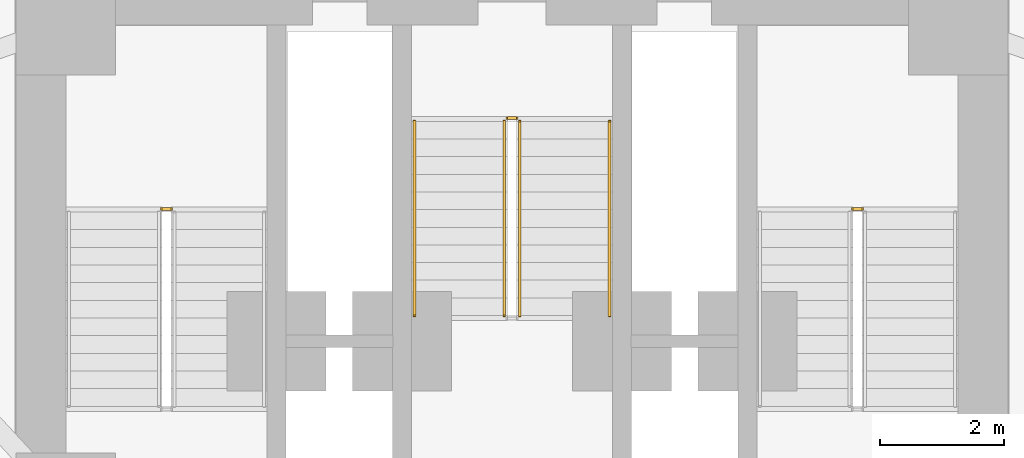
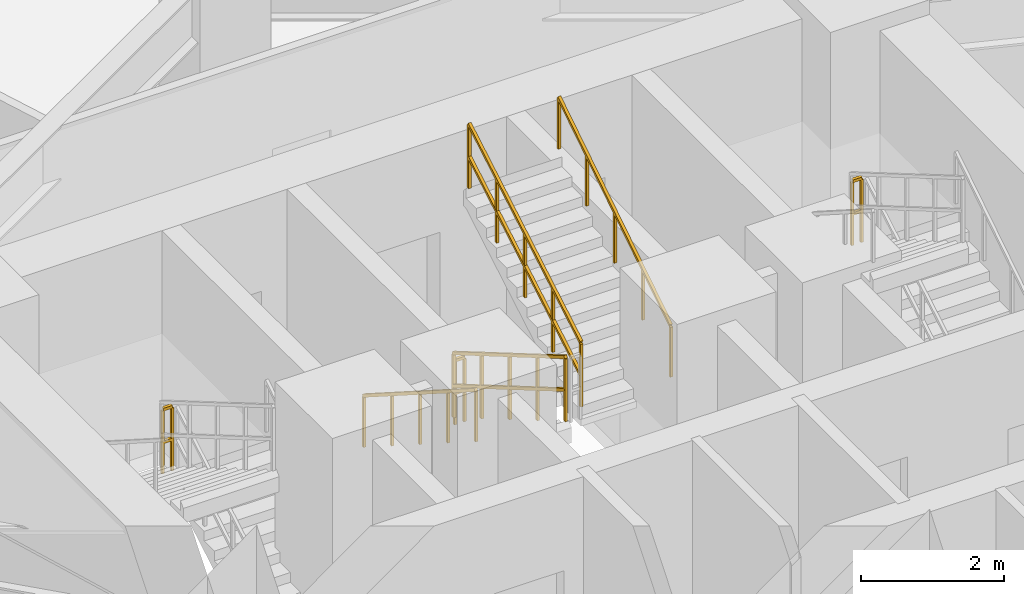
# One storey, part 11 of 12: 7 railings.
"""IFC4 building model written with IfcOpenShell, lengths in metres."""

import ifcopenshell
import ifcopenshell.guid

model = None  # the IFC model being written
_history = None  # IfcOwnerHistory: only IFC2X3 demands one
_inside = {}  # id of a spatial element -> (the spatial element, [elements in it])
_under = {}  # id of a project, library or spatial element -> (it, [spatial elements below it])
_declared = {}  # id of a project -> (the project, [libraries it declares])
_typed = {}  # id of a type object -> (the type object, [elements of that type])
_made_of = {}  # id of a material, layer set ... -> (it, [elements and type objects made of it])


def new_model(schema):
    """Start an empty IFC model of exactly this schema.

    Asked for "IFC4X3", IfcOpenShell would pick the latest addendum, in which some entities
    have other attributes; the version numbers below select the first issue.
    IFC2X3 requires an IfcOwnerHistory on every rooted entity: one is made here for all.
    """
    global model, _history
    if schema == "IFC4X3":
        model = ifcopenshell.file(schema_version=(4, 3, 0, 0))
    else:
        model = ifcopenshell.file(schema=schema)
    _inside.clear()
    _under.clear()
    _declared.clear()
    _typed.clear()
    _made_of.clear()
    _history = None
    if model.schema == "IFC2X3":
        org = make("IfcOrganization", Name="unknown")
        user = make(
            "IfcPersonAndOrganization",
            ThePerson=make("IfcPerson", FamilyName="unknown"),
            TheOrganization=org,
        )
        app = make(
            "IfcApplication",
            ApplicationDeveloper=org,
            Version="unknown",
            ApplicationFullName="unknown",
            ApplicationIdentifier="unknown",
        )
        _history = make(
            "IfcOwnerHistory",
            OwningUser=user,
            OwningApplication=app,
            ChangeAction="ADDED",
            CreationDate=0,
        )
    return model


def make(cls, **values):
    """One entity of the class cls with the attributes given. An attribute that is None is left unset."""
    return model.create_entity(
        cls, **{name: value for name, value in values.items() if value is not None}
    )


def rooted(cls, **values):
    """An entity with a GlobalId (a new one), such as an element, a storey or a relation."""
    return make(cls, GlobalId=ifcopenshell.guid.new(), OwnerHistory=_history, **values)


def si_unit(unit_type, name, prefix=None):
    """IfcSIUnit, for example si_unit("LENGTHUNIT", "METRE", prefix="MILLI")."""
    return make("IfcSIUnit", UnitType=unit_type, Prefix=prefix, Name=name)


def assignment(units):
    """IfcUnitAssignment: the units of a project."""
    return None if units is None else make("IfcUnitAssignment", Units=units)


def point(xyz):
    """IfcCartesianPoint."""
    return None if xyz is None else make("IfcCartesianPoint", Coordinates=xyz)


def direction(xyz):
    """IfcDirection."""
    return None if xyz is None else make("IfcDirection", DirectionRatios=xyz)


def frame(location, z_axis=None, x_axis=None):
    """IfcAxis2Placement3D, a coordinate frame: its origin and axes. An axis left out is left unset."""
    return make(
        "IfcAxis2Placement3D",
        Location=point(location),
        Axis=direction(z_axis),
        RefDirection=direction(x_axis),
    )


def frame_2d(location, x_axis=None):
    """IfcAxis2Placement2D, a coordinate frame in the plane: its origin and x axis."""
    return make(
        "IfcAxis2Placement2D", Location=point(location), RefDirection=direction(x_axis)
    )


def origin():
    """The frame at (0, 0, 0) with its axes left unset."""
    return frame((0.0, 0.0, 0.0))


def origin_2d():
    """The frame at (0, 0) in the plane with its x axis left unset."""
    return frame_2d((0.0, 0.0))


def place(relative_to, where):
    """IfcLocalPlacement: puts the frame where relative to a parent placement (None: the world)."""
    return make(
        "IfcLocalPlacement", PlacementRelTo=relative_to, RelativePlacement=where
    )


def context(
    kind, dimensions, precision=None, world=None, true_north=None, identifier=None
):
    """IfcGeometricRepresentationContext, for example the 3D "Model" context."""
    return make(
        "IfcGeometricRepresentationContext",
        ContextIdentifier=identifier,
        ContextType=kind,
        CoordinateSpaceDimension=dimensions,
        Precision=precision,
        WorldCoordinateSystem=world,
        TrueNorth=true_north,
    )


def subcontext(parent, identifier, kind, view, scale=None):
    """IfcGeometricRepresentationSubContext, for example "Body" below "Model"."""
    return make(
        "IfcGeometricRepresentationSubContext",
        ContextIdentifier=identifier,
        ContextType=kind,
        ParentContext=parent,
        TargetScale=scale,
        TargetView=view,
    )


def project(units=None, contexts=None):
    """IfcProject with its units and contexts."""
    return rooted(
        "IfcProject",
        Name="project",
        RepresentationContexts=contexts,
        UnitsInContext=assignment(units),
    )


def spatial(cls, under=None, at=None, **own):
    """A site, building, storey or space (cls), placed at a placement, below another one or the project."""
    s = rooted(cls, ObjectPlacement=at, **own)
    if under is not None:
        _under.setdefault(under.id(), (under, []))[1].append(s)
    return s


def profile(cls, at=None, kind="AREA", **sizes):
    """A parametric profile (cls). Its sizes go by their IFC names, for example OverallWidth=200.0."""
    return make(cls, ProfileType=kind, Position=at, **sizes)


def rectangle(**sizes):
    """IfcRectangleProfileDef."""
    return profile("IfcRectangleProfileDef", **sizes)


def extrude(swept, where, along, depth):
    """IfcExtrudedAreaSolid: the profile swept, set in the frame where, extruded along a direction by depth."""
    return make(
        "IfcExtrudedAreaSolid",
        SweptArea=swept,
        Position=where,
        ExtrudedDirection=direction(along),
        Depth=depth,
    )


def shape(context_of_items, identifier, shape_type, items):
    """IfcShapeRepresentation: the items that make up one representation, for example the "Body"."""
    return make(
        "IfcShapeRepresentation",
        ContextOfItems=context_of_items,
        RepresentationIdentifier=identifier,
        RepresentationType=shape_type,
        Items=items,
    )


def material(Name=None, Category=None):
    """IfcMaterial."""
    return make("IfcMaterial", Name=Name, Category=Category)


def made_of(thing, what):
    """Note that an element or type object is made of a material, layer set ...; save() writes the relation."""
    if what is not None:
        _made_of.setdefault(what.id(), (what, []))[1].append(thing)
    return thing


def type_object(cls, material=None, **own):
    """A type object (cls), such as IfcWallType, which elements share."""
    return made_of(rooted(cls, **own), material)


def element(
    cls,
    number,
    at=None,
    inside=None,
    cuts=None,
    type_object=None,
    material=None,
    context=None,
    identifier="Body",
    shape_type=None,
    held_by="IfcProductDefinitionShape",
    body=None,
    shapes=None,
    **own,
):
    """One element of the class cls, such as IfcWall. Its Tag is "e" and its number.

    at: its placement. inside: the storey or other place that contains it. cuts: it is an
    opening in that element (IfcRelVoidsElement). A single representation is given by context,
    identifier, shape_type and body (its items); several are given by shapes. held_by: the class
    of the entity that holds the representations. save() writes the other relations.
    """
    e = rooted(cls, Tag="e%d" % number, ObjectPlacement=at, **own)
    if body is not None:
        shapes = [shape(context, identifier, shape_type, body)]
    if shapes is not None:
        e.Representation = make(held_by, Representations=shapes)
    if inside is not None:
        _inside.setdefault(inside.id(), (inside, []))[1].append(e)
    if cuts is not None:
        rooted(
            "IfcRelVoidsElement", RelatingBuildingElement=cuts, RelatedOpeningElement=e
        )
    if type_object is not None:
        _typed.setdefault(type_object.id(), (type_object, []))[1].append(e)
    return made_of(e, material)


def aggregate(whole, parts):
    """IfcRelAggregates: a whole, such as a stair, and the parts it consists of."""
    return rooted("IfcRelAggregates", RelatingObject=whole, RelatedObjects=parts)


def save(model, path):
    """Write the relations noted so far, then the file.

    IfcRelAggregates (storeys below a building ...), IfcRelContainedInSpatialStructure (elements
    in a storey), IfcRelDefinesByType, IfcRelAssociatesMaterial and IfcRelDeclares: one each for
    every whole, place, type object, material and project.
    """
    for whole, parts in _under.values():
        aggregate(whole, parts)
    for where, things in _inside.values():
        rooted(
            "IfcRelContainedInSpatialStructure",
            RelatedElements=things,
            RelatingStructure=where,
        )
    for kind, things in _typed.values():
        rooted("IfcRelDefinesByType", RelatedObjects=things, RelatingType=kind)
    for what, things in _made_of.values():
        rooted("IfcRelAssociatesMaterial", RelatedObjects=things, RelatingMaterial=what)
    for by, libraries in _declared.values():
        rooted("IfcRelDeclares", RelatingContext=by, RelatedDefinitions=libraries)
    model.write(path)


model = new_model("IFC4")

# Units and contexts
model_context = context("Model", 3, precision=1e-05, world=origin(), true_north=direction((0.0, 1.0)))
body_context = subcontext(model_context, "Body", "Model", "MODEL_VIEW")
ifc_project = project(units=[si_unit("LENGTHUNIT", "METRE"), si_unit("AREAUNIT", "SQUARE_METRE"), si_unit("VOLUMEUNIT", "CUBIC_METRE"), si_unit("PLANEANGLEUNIT", "RADIAN"), si_unit("MASSUNIT", "GRAM", prefix="KILO")], contexts=[model_context])

# Site, building, storey
site_placement = place(None, origin())
site = spatial("IfcSite", under=ifc_project, at=site_placement, CompositionType="ELEMENT")
building_placement = place(site_placement, origin())
building = spatial("IfcBuilding", under=site, at=building_placement, Name="Apsidion Concourse Tower", CompositionType="ELEMENT")
storey_placement = place(building_placement, frame((0.0, 0.0, 34.39990234375)))
storey = spatial("IfcBuildingStorey", under=building, at=storey_placement, Name="L06", CompositionType="ELEMENT", Elevation=34.39990234375)

# Railings
ifc_material = material(Name="Brushed stainless steel 316", Category="steel")
railing_type_1 = type_object("IfcRailingType", Name="RL-GUARD-1100", PredefinedType="GUARDRAIL", material=ifc_material)
for number, where, name in (
    (1, (-5.5, 6.18505859375, 2.0), "L06 ST1 stair guard 2"),
    (2, (5.64990234375, 6.18505859375, 2.0), "L06 ST2 stair guard 2"),
):
    element("IfcRailing", number, at=place(storey_placement, frame(where)), inside=storey, type_object=railing_type_1, Name=name, PredefinedType="GUARDRAIL", context=body_context, shape_type="SweptSolid", body=[
        extrude(rectangle(XDim=0.048095703125, YDim=0.048095703125, at=origin_2d()), frame((0.0, 0.0, 1.09619140625), z_axis=(-1.0, 0.0, 0.0), x_axis=(0.0, -1.0, 0.0)), (0.0, 0.0, 1.0), 0.14990234375),
        extrude(rectangle(XDim=0.048095703125, YDim=0.048095703125, at=origin_2d()), frame((0.0, 0.0, 0.5361328125), z_axis=(-1.0, 0.0, 0.0), x_axis=(0.0, -1.0, 0.0)), (0.0, 0.0, 1.0), 0.14990234375),
        extrude(rectangle(XDim=0.0419921875, YDim=0.0419921875, at=origin_2d()), origin(), (0.0, 0.0, 1.0), 1.072021484375),
        extrude(rectangle(XDim=0.0419921875, YDim=0.0419921875, at=origin_2d()), frame((-0.14990234375, 0.0, 0.0)), (0.0, 0.0, 1.0), 1.072021484375),
    ])
railing_1_placement = place(storey_placement, frame((-0.125, 7.60009765625, 0.166748046875)))
element("IfcRailing", 3, at=railing_1_placement, inside=storey, type_object=railing_type_1, Name="L06 ST3 stair guard 1", PredefinedType="GUARDRAIL", context=body_context, shape_type="SweptSolid", body=[
    extrude(rectangle(XDim=0.048095703125, YDim=0.048095703125, at=origin_2d()), frame((0.0, 0.0, 1.09619140625), z_axis=(0.0, -0.863239559939, 0.504794475164), x_axis=(1.0, 0.0, 0.0)), (0.0, 0.0, 1.0), 3.631591796875),
    extrude(rectangle(XDim=0.048095703125, YDim=0.048095703125, at=origin_2d()), frame((0.0, 0.0, 0.5361328125), z_axis=(0.0, -0.863239559939, 0.504794475164), x_axis=(1.0, 0.0, 0.0)), (0.0, 0.0, 1.0), 3.631591796875),
    extrude(rectangle(XDim=0.0419921875, YDim=0.0419921875, at=origin_2d()), origin(), (0.0, 0.0, 1.0), 1.072021484375),
    extrude(rectangle(XDim=0.0419921875, YDim=0.0419921875, at=origin_2d()), frame((0.0, -0.78369140625, 0.458251953125)), (0.0, 0.0, 1.0), 1.072021484375),
    extrude(rectangle(XDim=0.0419921875, YDim=0.0419921875, at=origin_2d()), frame((0.0, -1.5673828125, 0.91650390625)), (0.0, 0.0, 1.0), 1.072021484375),
    extrude(rectangle(XDim=0.0419921875, YDim=0.0419921875, at=origin_2d()), frame((0.0, -2.351318359375, 1.375)), (0.0, 0.0, 1.0), 1.072021484375),
    extrude(rectangle(XDim=0.0419921875, YDim=0.0419921875, at=origin_2d()), frame((0.0, -3.135009765625, 1.833251953125)), (0.0, 0.0, 1.0), 1.072021484375),
])
railing_2_placement = place(storey_placement, frame((0.125, 4.465087890625, 2.166748046875)))
element("IfcRailing", 4, at=railing_2_placement, inside=storey, type_object=railing_type_1, Name="L06 ST3 stair guard 3", PredefinedType="GUARDRAIL", context=body_context, shape_type="SweptSolid", body=[
    extrude(rectangle(XDim=0.048095703125, YDim=0.048095703125, at=origin_2d()), frame((0.0, 0.0, 1.09619140625), z_axis=(0.0, 0.863239559939, 0.504794475164), x_axis=(-1.0, 0.0, 0.0)), (0.0, 0.0, 1.0), 3.631591796875),
    extrude(rectangle(XDim=0.048095703125, YDim=0.048095703125, at=origin_2d()), frame((0.0, 0.0, 0.5361328125), z_axis=(0.0, 0.863239559939, 0.504794475164), x_axis=(-1.0, 0.0, 0.0)), (0.0, 0.0, 1.0), 3.631591796875),
    extrude(rectangle(XDim=0.0419921875, YDim=0.0419921875, at=origin_2d()), origin(), (0.0, 0.0, 1.0), 1.072021484375),
    extrude(rectangle(XDim=0.0419921875, YDim=0.0419921875, at=origin_2d()), frame((0.0, 0.78369140625, 0.458251953125)), (0.0, 0.0, 1.0), 1.072021484375),
    extrude(rectangle(XDim=0.0419921875, YDim=0.0419921875, at=origin_2d()), frame((0.0, 1.5673828125, 0.91650390625)), (0.0, 0.0, 1.0), 1.072021484375),
    extrude(rectangle(XDim=0.0419921875, YDim=0.0419921875, at=origin_2d()), frame((0.0, 2.351318359375, 1.375)), (0.0, 0.0, 1.0), 1.072021484375),
    extrude(rectangle(XDim=0.0419921875, YDim=0.0419921875, at=origin_2d()), frame((0.0, 3.135009765625, 1.833251953125)), (0.0, 0.0, 1.0), 1.072021484375),
])
railing_3_placement = place(storey_placement, frame((-0.074951171875, 7.64990234375, 0.0)))
element("IfcRailing", 5, at=railing_3_placement, inside=storey, type_object=railing_type_1, Name="L06 ST3 stair guard 4", PredefinedType="GUARDRAIL", context=body_context, shape_type="SweptSolid", body=[
    extrude(rectangle(XDim=0.048095703125, YDim=0.048095703125, at=origin_2d()), frame((0.0, 0.0, 1.09619140625), z_axis=(1.0, 0.0, 0.0), x_axis=(0.0, 1.0, 0.0)), (0.0, 0.0, 1.0), 0.14990234375),
    extrude(rectangle(XDim=0.048095703125, YDim=0.048095703125, at=origin_2d()), frame((0.0, 0.0, 0.5361328125), z_axis=(1.0, 0.0, 0.0), x_axis=(0.0, 1.0, 0.0)), (0.0, 0.0, 1.0), 0.14990234375),
    extrude(rectangle(XDim=0.0419921875, YDim=0.0419921875, at=origin_2d()), origin(), (0.0, 0.0, 1.0), 1.072021484375),
    extrude(rectangle(XDim=0.0419921875, YDim=0.0419921875, at=origin_2d()), frame((0.14990234375, 0.0, 0.0)), (0.0, 0.0, 1.0), 1.072021484375),
])
railing_type_2 = type_object("IfcRailingType", Name="RL-HAND-900", PredefinedType="HANDRAIL", material=ifc_material)
railing_4_placement = place(storey_placement, frame((-1.574951171875, 7.60009765625, 0.166748046875)))
element("IfcRailing", 6, at=railing_4_placement, inside=storey, type_object=railing_type_2, Name="L06 ST3 stair handrail 1", PredefinedType="HANDRAIL", context=body_context, shape_type="SweptSolid", body=[
    extrude(rectangle(XDim=0.048095703125, YDim=0.048095703125, at=origin_2d()), frame((0.0, 0.0, 0.8759765625), z_axis=(0.0, -0.843052688722, 0.537830980921), x_axis=(1.0, 0.0, 0.0)), (0.0, 0.0, 1.0), 3.71875),
    extrude(rectangle(XDim=0.0419921875, YDim=0.0419921875, at=origin_2d()), origin(), (0.0, 0.0, 1.0), 0.851806640625),
    extrude(rectangle(XDim=0.0419921875, YDim=0.0419921875, at=origin_2d()), frame((0.0, -0.78369140625, 0.5)), (0.0, 0.0, 1.0), 0.851806640625),
    extrude(rectangle(XDim=0.0419921875, YDim=0.0419921875, at=origin_2d()), frame((0.0, -1.5673828125, 1.0)), (0.0, 0.0, 1.0), 0.851806640625),
    extrude(rectangle(XDim=0.0419921875, YDim=0.0419921875, at=origin_2d()), frame((0.0, -2.351318359375, 1.5)), (0.0, 0.0, 1.0), 0.851806640625),
    extrude(rectangle(XDim=0.0419921875, YDim=0.0419921875, at=origin_2d()), frame((0.0, -3.135009765625, 2.0)), (0.0, 0.0, 1.0), 0.851806640625),
])
railing_5_placement = place(storey_placement, frame((1.574951171875, 4.465087890625, 2.166748046875)))
element("IfcRailing", 7, at=railing_5_placement, inside=storey, type_object=railing_type_2, Name="L06 ST3 stair handrail 2", PredefinedType="HANDRAIL", context=body_context, shape_type="SweptSolid", body=[
    extrude(rectangle(XDim=0.048095703125, YDim=0.048095703125, at=origin_2d()), frame((0.0, 0.0, 0.8759765625), z_axis=(0.0, 0.843052688722, 0.537830980921), x_axis=(-1.0, 0.0, 0.0)), (0.0, 0.0, 1.0), 3.71875),
    extrude(rectangle(XDim=0.0419921875, YDim=0.0419921875, at=origin_2d()), origin(), (0.0, 0.0, 1.0), 0.851806640625),
    extrude(rectangle(XDim=0.0419921875, YDim=0.0419921875, at=origin_2d()), frame((0.0, 0.78369140625, 0.5)), (0.0, 0.0, 1.0), 0.851806640625),
    extrude(rectangle(XDim=0.0419921875, YDim=0.0419921875, at=origin_2d()), frame((0.0, 1.5673828125, 1.0)), (0.0, 0.0, 1.0), 0.851806640625),
    extrude(rectangle(XDim=0.0419921875, YDim=0.0419921875, at=origin_2d()), frame((0.0, 2.351318359375, 1.5)), (0.0, 0.0, 1.0), 0.851806640625),
    extrude(rectangle(XDim=0.0419921875, YDim=0.0419921875, at=origin_2d()), frame((0.0, 3.135009765625, 2.0)), (0.0, 0.0, 1.0), 0.851806640625),
])

save(model, "model.ifc")
